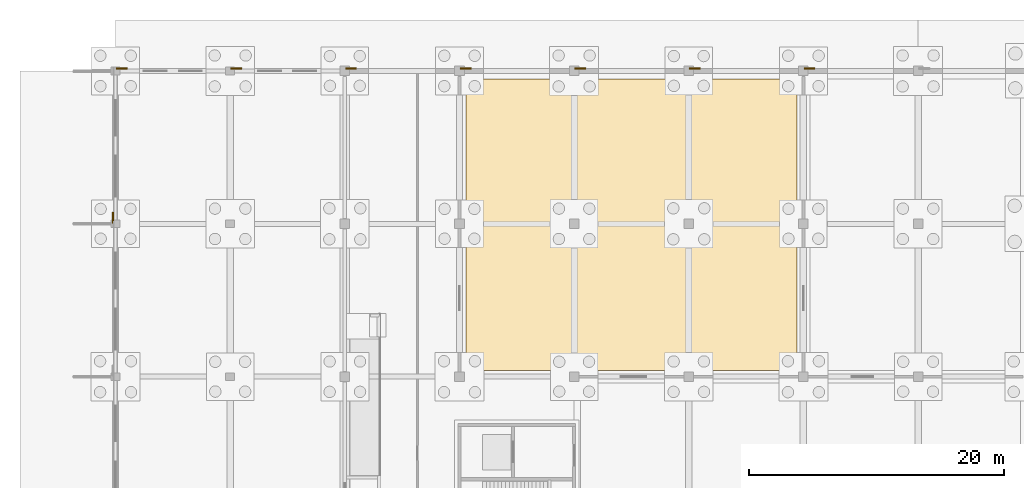
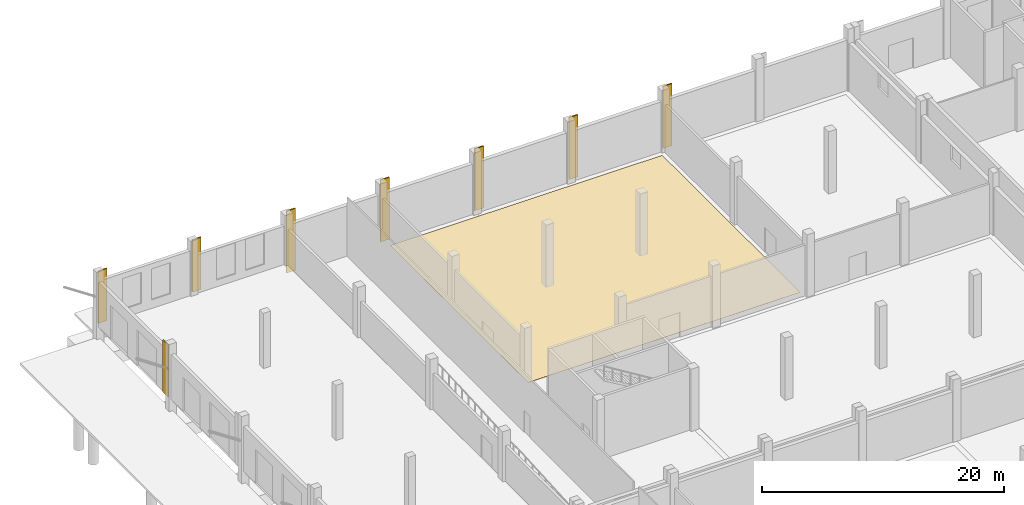
# One storey, part 95 of 99: 9 coverings.
"""IFC4 building model written with IfcOpenShell, lengths in metres."""

from ifc_helpers import new_model, si_unit, direction, frame, origin, origin_2d, place, context, subcontext, project, spatial, polyline, rectangle, outline, extrude, material, layer, layer_set, type_object, element, save


model = new_model("IFC4")

# Units and contexts
model_context = context("Model", 3, precision=1e-05, world=origin(), true_north=direction((0.0, 1.0)))
body_context = subcontext(model_context, "Body", "Model", "MODEL_VIEW")
ifc_project = project(units=[si_unit("LENGTHUNIT", "METRE"), si_unit("AREAUNIT", "SQUARE_METRE"), si_unit("VOLUMEUNIT", "CUBIC_METRE"), si_unit("PLANEANGLEUNIT", "RADIAN"), si_unit("MASSUNIT", "GRAM", prefix="KILO")], contexts=[model_context])

# Site, building, storey
site_placement = place(None, origin())
site = spatial("IfcSite", under=ifc_project, at=site_placement, CompositionType="ELEMENT")
building_placement = place(site_placement, origin())
building = spatial("IfcBuilding", under=site, at=building_placement, Name="Zacnel Wholesale Market", CompositionType="ELEMENT")
storey_placement = place(building_placement, origin())
storey = spatial("IfcBuildingStorey", under=building, at=storey_placement, Name="L01", CompositionType="ELEMENT", Elevation=0.0)

# Coverings
ifc_material_1 = material(Name="Honed Yucatan Maya cream limestone", Category="masonry")
ifc_layer_1 = layer(ifc_material_1, 0.090087890625)
ifc_layer_set_1 = layer_set([ifc_layer_1], Name="Honed Yucatan Maya cream limestone")
covering_type_1 = type_object("IfcCoveringType", Name="COV-CLAD-FRET", PredefinedType="CLADDING", material=ifc_layer_set_1)
for number, where, z_axis, x_axis, name in (
    (1, (0.47998046875, 144.2099609375, 1.2451171875), (0.0, 0.0, 1.0), (1.0, 0.0, 0.0), "Fluted Mayan-Deco limestone pilaster L01-0010"),
    (2, (9.47998046875, 144.2099609375, 1.2451171875), (0.0, 0.0, 1.0), (1.0, 0.0, 0.0), "Fluted Mayan-Deco limestone pilaster L01-0011"),
    (3, (-0.2099609375, 132.47998046875, 1.2451171875), (0.0, 0.0, 1.0), (0.0, 1.0, 0.0), "Fluted Mayan-Deco limestone pilaster L01-0015"),
):
    element("IfcCovering", number, at=place(storey_placement, frame(where, z_axis=z_axis, x_axis=x_axis)), inside=storey, type_object=covering_type_1, Name=name, PredefinedType="CLADDING", context=body_context, shape_type="SweptSolid", body=[
        extrude(rectangle(XDim=0.85009765625, YDim=0.1201171875, at=origin_2d()), origin(), (0.0, 0.0, 1.0), 5.27490234375),
    ])
for number, where, z_axis, x_axis, name in (
    (4, (18.47998046875, 144.2099609375, 0.02001953125), (0.0, 0.0, 1.0), (1.0, 0.0, 0.0), "Fluted Mayan-Deco limestone pilaster L01-0020"),
    (5, (27.47998046875, 144.2099609375, 0.02001953125), (0.0, 0.0, 1.0), (1.0, 0.0, 0.0), "Fluted Mayan-Deco limestone pilaster L01-0021"),
    (6, (36.47998046875, 144.2099609375, 0.02001953125), (0.0, 0.0, 1.0), (1.0, 0.0, 0.0), "Fluted Mayan-Deco limestone pilaster L01-0022"),
    (7, (45.47998046875, 144.2099609375, 0.02001953125), (0.0, 0.0, 1.0), (1.0, 0.0, 0.0), "Fluted Mayan-Deco limestone pilaster L01-0023"),
    (8, (54.47998046875, 144.2099609375, 0.02001953125), (0.0, 0.0, 1.0), (1.0, 0.0, 0.0), "Fluted Mayan-Deco limestone pilaster L01-0024"),
):
    element("IfcCovering", number, at=place(storey_placement, frame(where, z_axis=z_axis, x_axis=x_axis)), inside=storey, type_object=covering_type_1, Name=name, PredefinedType="CLADDING", context=body_context, shape_type="SweptSolid", body=[
        extrude(rectangle(XDim=0.85009765625, YDim=0.1201171875, at=origin_2d()), origin(), (0.0, 0.0, 1.0), 6.260009765625),
    ])
ifc_material_2 = material(Name="Food-grade epoxy resin flooring")
ifc_layer_2 = layer(ifc_material_2, 0.011962890625)
ifc_layer_set_2 = layer_set([ifc_layer_2], Name="Food-grade epoxy resin flooring")
covering_type_2 = type_object("IfcCoveringType", Name="COV-FLR-EPOXY-12", PredefinedType="FLOORING", material=ifc_layer_set_2)
covering_placement = place(storey_placement, origin())
element("IfcCovering", 9, at=covering_placement, inside=storey, type_object=covering_type_2, Name="Hygienic epoxy floor finish L01-315", PredefinedType="FLOORING", context=body_context, shape_type="SweptSolid", body=[
    extrude(outline(polyline([(27.5, 120.5), (53.5, 120.5), (53.5, 143.35009765625), (27.5, 143.35009765625), (27.5, 120.5)])), origin(), (0.0, 0.0, 1.0), 0.011962890625),
])

save(model, "model.ifc")
